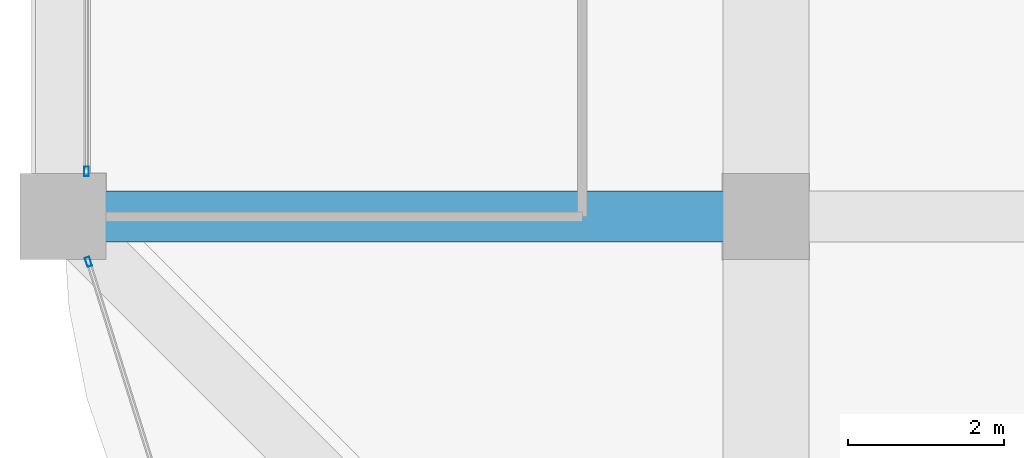
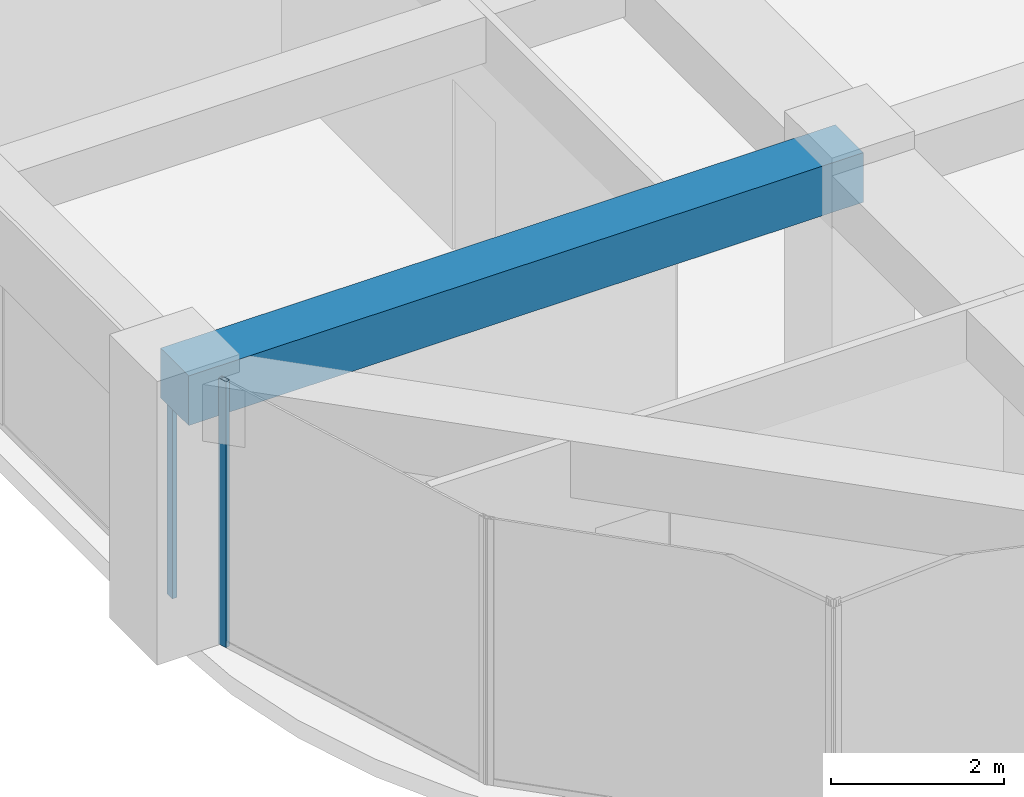
# One storey, part 6 of 44: 2 members, 1 beam, 2 elements without a shape of their own.
"""IFC4 building model written with IfcOpenShell, lengths in metres."""

from ifc_helpers import new_model, si_unit, direction, frame, origin, origin_2d, place, context, subcontext, project, spatial, rectangle, hollow_rectangle, extrude, material, material_profile, profile_set, type_object, element, aggregate, save


model = new_model("IFC4")

# Units and contexts
model_context = context("Model", 3, precision=1e-05, world=origin(), true_north=direction((0.0, 1.0)))
body_context = subcontext(model_context, "Body", "Model", "MODEL_VIEW")
ifc_project = project(units=[si_unit("LENGTHUNIT", "METRE"), si_unit("AREAUNIT", "SQUARE_METRE"), si_unit("VOLUMEUNIT", "CUBIC_METRE"), si_unit("PLANEANGLEUNIT", "RADIAN"), si_unit("MASSUNIT", "GRAM", prefix="KILO")], contexts=[model_context])

# Site, building, storey
site_placement = place(None, origin())
site = spatial("IfcSite", under=ifc_project, at=site_placement, CompositionType="ELEMENT")
building_placement = place(site_placement, origin())
building = spatial("IfcBuilding", under=site, at=building_placement, Name="Zorevar Civic Tower", CompositionType="ELEMENT")
storey_placement = place(building_placement, frame((0.0, 0.0, 295.39990234375)))
storey = spatial("IfcBuildingStorey", under=building, at=storey_placement, Name="L72", CompositionType="ELEMENT", Elevation=295.39990234375)

# Beam
ifc_material_1 = material(Name="Concrete C50/60", Category="concrete")
ifc_material_profile_1 = material_profile(ifc_material_1, rectangle(XDim=0.64990234375, YDim=0.699951171875, at=origin_2d()), Name="RC 650x700")
ifc_profile_set_1 = profile_set([ifc_material_profile_1], Name="Concrete C50/60")
beam_type = type_object("IfcBeamType", Name="Beam RC 650x700", PredefinedType="BEAM", material=ifc_profile_set_1)
beam_placement = place(storey_placement, frame((9.0, 9.0, 3.400146484375), z_axis=(1.0, 0.0, 0.0), x_axis=(0.0, 1.0, 0.0)))
element("IfcBeam", 1, at=beam_placement, inside=storey, type_object=beam_type, Name="Girder L73", PredefinedType="BEAM", context=body_context, shape_type="SweptSolid", body=[
    extrude(rectangle(XDim=0.64990234375, YDim=0.699951171875, at=origin_2d()), origin(), (0.0, 0.0, 1.0), 9.0),
])

# Curtain wall, member
ifc_material_2 = material(Name="Dark grey solar-control glass in black aluminium frame", Category="aluminium")
curtain_wall_type = type_object("IfcCurtainWallType", Name="Curtain wall CW5 top zone", PredefinedType="NOTDEFINED", material=ifc_material_2)
curtain_wall_1_placement = place(storey_placement, origin())
curtain_wall_1 = element("IfcCurtainWall", 2, at=curtain_wall_1_placement, inside=storey, type_object=curtain_wall_type, Name="CW5 L72", PredefinedType="NOTDEFINED")
ifc_material_3 = material(Name="Aluminium, black anodised", Category="aluminium")
ifc_material_profile_2 = material_profile(ifc_material_3, hollow_rectangle(XDim=0.06005859375, YDim=0.1201171875, WallThickness=0.0029296875, at=origin_2d()), Name="AL 120x60x3")
ifc_profile_set_2 = profile_set([ifc_material_profile_2], Name="Aluminium, black anodised")
member_type = type_object("IfcMemberType", Name="CW5 mullion AL 120x60x3", PredefinedType="MULLION", material=ifc_profile_set_2)
member_1_placement = place(storey_placement, frame((9.300048828125, 9.580078125, 0.0), z_axis=(0.0, 0.0, 1.0), x_axis=(-1.0, 0.0, 0.0)))
member_1 = element("IfcMember", 3, at=member_1_placement, type_object=member_type, Name="CW5 mullion 1", PredefinedType="MULLION", context=body_context, shape_type="SweptSolid", body=[
    extrude(hollow_rectangle(XDim=0.06005859375, YDim=0.1201171875, WallThickness=0.0029296875, at=origin_2d()), origin(), (0.0, 0.0, 1.0), 2.9501953125),
])
aggregate(curtain_wall_1, [member_1])

curtain_wall_2_placement = place(storey_placement, origin())
curtain_wall_2 = element("IfcCurtainWall", 4, at=curtain_wall_2_placement, inside=storey, type_object=curtain_wall_type, Name="CW5 L72", PredefinedType="NOTDEFINED")
member_2_placement = place(storey_placement, frame((9.326416015625, 8.42138671875, 0.0), z_axis=(0.0, 0.0, 1.0), x_axis=(0.954153437674, 0.299317920238, 0.0)))
member_2 = element("IfcMember", 5, at=member_2_placement, type_object=member_type, Name="CW5 mullion 1", PredefinedType="MULLION", context=body_context, shape_type="SweptSolid", body=[
    extrude(hollow_rectangle(XDim=0.06005859375, YDim=0.1201171875, WallThickness=0.0029296875, at=origin_2d()), origin(), (0.0, 0.0, 1.0), 3.75),
])
aggregate(curtain_wall_2, [member_2])

save(model, "model.ifc")
